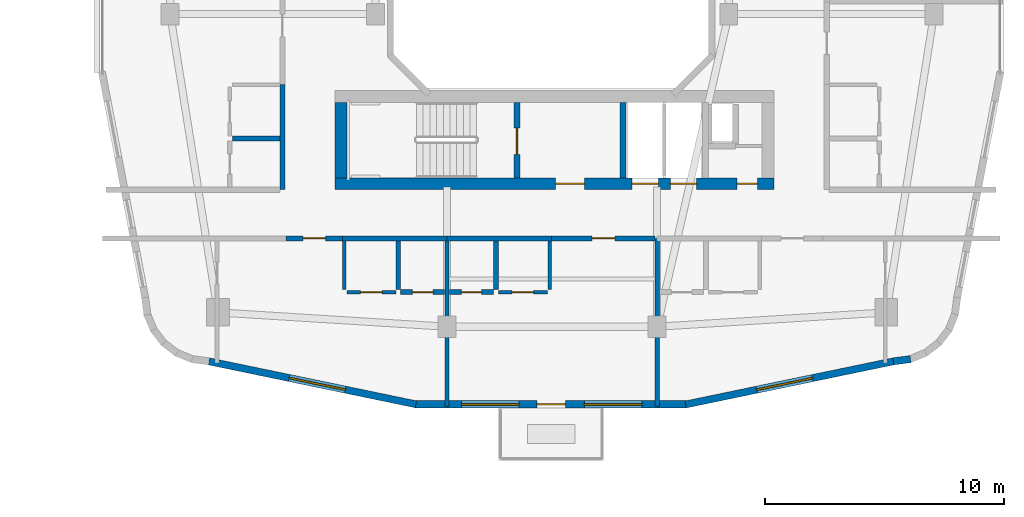
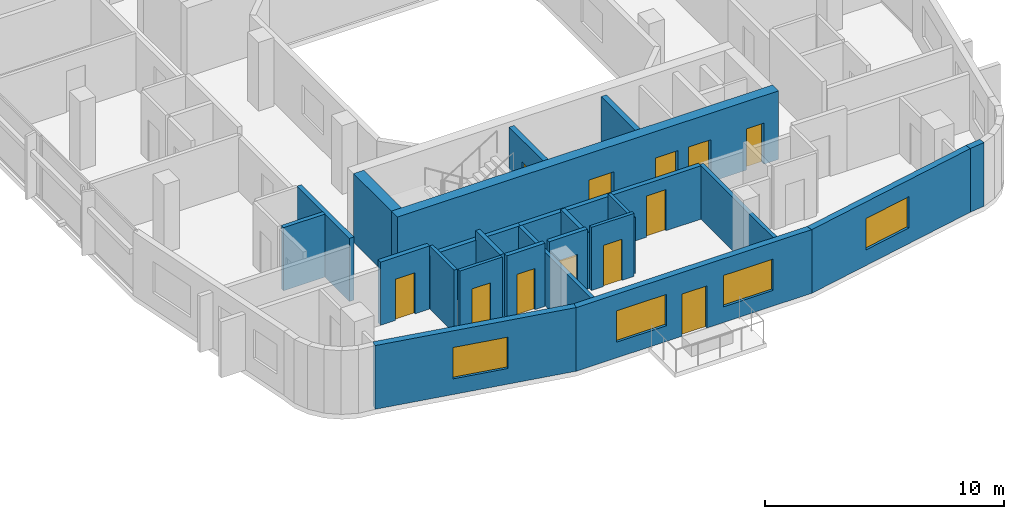
# One storey, part 13 of 22: 24 walls, 12 doors, 4 windows, 16 openings.
"""IFC4 building model written with IfcOpenShell, lengths in metres."""

from ifc_helpers import new_model, si_unit, derived_unit, direction, frame, frame_2d, origin, place, context, subcontext, project, spatial, rectangle, extrude, material, layer, layer_set, type_object, element, fill, save


model = new_model("IFC4")

# Units and contexts
model_context = context("Model", 3, precision=1e-05, world=origin(), true_north=direction((0.0, 1.0)))
body_context = subcontext(model_context, "Body", "Model", "MODEL_VIEW")
ifc_project = project(units=[si_unit("LENGTHUNIT", "METRE"), si_unit("AREAUNIT", "SQUARE_METRE"), si_unit("VOLUMEUNIT", "CUBIC_METRE"), si_unit("PLANEANGLEUNIT", "RADIAN"), si_unit("MASSUNIT", "GRAM", prefix="KILO"), derived_unit("THERMALTRANSMITTANCEUNIT", [(si_unit("POWERUNIT", "WATT"), 1), (si_unit("LENGTHUNIT", "METRE"), -2), (si_unit("THERMODYNAMICTEMPERATUREUNIT", "KELVIN"), -1)])], contexts=[model_context])

# Site, building, storey
site_placement = place(None, origin())
site = spatial("IfcSite", under=ifc_project, at=site_placement, CompositionType="ELEMENT")
building_placement = place(site_placement, origin())
building = spatial("IfcBuilding", under=site, at=building_placement, Name="Kivonza Crest Hotel", CompositionType="ELEMENT")
storey_placement = place(building_placement, frame((0.0, 0.0, 59.0)))
storey = spatial("IfcBuildingStorey", under=building, at=storey_placement, Name="L15", CompositionType="ELEMENT", Elevation=59.0)

# Walls
ifc_material_1 = material(Name="High-density acoustic masonry inter-tenancy wall", Category="masonry")
ifc_layer_1 = layer(ifc_material_1, 0.179931640625)
ifc_layer_set_1 = layer_set([ifc_layer_1], Name="High-density acoustic masonry inter-tenancy wall")
wall_type_1 = type_object("IfcWallType", Name="WL-ACOU-180", PredefinedType="SOLIDWALL", material=ifc_layer_set_1)
for number, where, z_axis, x_axis, name in (
    (1, (72.60009765625, 5.06005859375, 0.0), (0.0, 0.0, 1.0), (0.0, 1.0, 0.0), "L15 interior partition WA-L15-T2S-DIV1"),
    (2, (81.39990234375, 5.06005859375, 0.0), (0.0, 0.0, 1.0), (0.0, 1.0, 0.0), "L15 interior partition WA-L15-T2S-DIV2"),
):
    element("IfcWall", number, at=place(storey_placement, frame(where, z_axis=z_axis, x_axis=x_axis)), inside=storey, type_object=wall_type_1, Name=name, PredefinedType="SOLIDWALL", context=body_context, shape_type="SweptSolid", body=[
        extrude(rectangle(XDim=7.0400390625, YDim=0.179931640625, at=frame_2d((3.52001953125, 0.0))), origin(), (0.0, 0.0, 1.0), 2.72509765625),
    ])
ifc_material_2 = material(Name="Autoclaved aerated concrete blockwork", Category="masonry")
ifc_layer_2 = layer(ifc_material_2, 0.219970703125)
ifc_layer_set_2 = layer_set([ifc_layer_2], Name="Autoclaved aerated concrete blockwork")
wall_type_2 = type_object("IfcWallType", Name="WL-ACOU-220", PredefinedType="SOLIDWALL", material=ifc_layer_set_2)
wall_1_placement = place(storey_placement, frame((68.219970703125, 12.10009765625, 0.0), z_axis=(0.0, 0.0, 1.0), x_axis=(1.0, 0.0, 0.0)))
element("IfcWall", 3, at=wall_1_placement, inside=storey, type_object=wall_type_2, Name="L15 interior partition WA-L15-A03-RCORR", PredefinedType="SOLIDWALL", context=body_context, shape_type="SweptSolid", body=[
    extrude(rectangle(XDim=4.380126953125, YDim=0.219970703125, at=frame_2d((2.18994140625, 0.0))), origin(), (0.0, 0.0, 1.0), 2.72509765625),
])

# Wall, opening, door
wall_2_placement = place(storey_placement, frame((65.85009765625, 12.10009765625, 0.0), z_axis=(0.0, 0.0, 1.0), x_axis=(1.0, 0.0, 0.0)))
wall_2 = element("IfcWall", 4, at=wall_2_placement, inside=storey, type_object=wall_type_2, Name="L15 interior partition WA-L15-A03-MCORR", PredefinedType="SOLIDWALL", context=body_context, shape_type="SweptSolid", body=[
    extrude(rectangle(XDim=2.369873046875, YDim=0.219970703125, at=frame_2d((1.18505859375, 0.0))), origin(), (0.0, 0.0, 1.0), 3.219970703125),
])
opening_1_placement = place(wall_2_placement, frame((0.7099609375, 0.0, 0.0)))
opening_1 = element("IfcOpeningElement", 5, at=opening_1_placement, cuts=wall_2, Name="Opening DU-60", PredefinedType="OPENING", context=body_context, shape_type="SweptSolid", body=[
    extrude(rectangle(XDim=0.949951171875, YDim=2.10009765625, at=frame_2d((0.47509765625, 1.050048828125))), frame((0.0, 0.1201171875, 0.0), z_axis=(0.0, -1.0, 0.0), x_axis=(1.0, 0.0, 0.0)), (0.0, 0.0, 1.0), 0.239990234375),
])
ifc_material_3 = material(Name="Hardwood timber oak", Category="wood")
door_type_1 = type_object("IfcDoorType", Name="DR-UNIT-950", OperationType="NOTDEFINED", PredefinedType="DOOR", material=ifc_material_3)
door_1_placement = place(opening_1_placement, frame((0.949951171875, 0.0, 0.0), z_axis=(0.0, 0.0, 1.0), x_axis=(-1.0, 0.0, 0.0)))
door_1 = element("IfcDoor", 6, at=door_1_placement, inside=storey, type_object=door_type_1, Name="L15 A03 apartment entrance fire door", OperationType="SINGLE_SWING_LEFT", OverallHeight=2.10009765625, OverallWidth=0.949951171875, PredefinedType="DOOR", context=body_context, shape_type="SweptSolid", body=[
    extrude(rectangle(XDim=0.949951171875, YDim=2.10009765625, at=frame_2d((0.47509765625, 1.050048828125))), frame((0.0, 0.02490234375, 0.0), z_axis=(0.0, -1.0, 0.0), x_axis=(1.0, 0.0, 0.0)), (0.0, 0.0, 1.0), 0.050048828125),
])
fill(opening_1, door_1)

# Wall
wall_3_placement = place(storey_placement, frame((72.60009765625, 12.10009765625, 0.0), z_axis=(0.0, 0.0, 1.0), x_axis=(1.0, 0.0, 0.0)))
element("IfcWall", 7, at=wall_3_placement, inside=storey, type_object=wall_type_2, Name="L15 interior partition WA-L15-A04-LCORR", PredefinedType="SOLIDWALL", context=body_context, shape_type="SweptSolid", body=[
    extrude(rectangle(XDim=4.3798828125, YDim=0.219970703125, at=frame_2d((2.18994140625, 0.0))), origin(), (0.0, 0.0, 1.0), 2.72509765625),
])

# Wall, opening, door
wall_4_placement = place(storey_placement, frame((76.97998046875, 12.10009765625, 0.0), z_axis=(0.0, 0.0, 1.0), x_axis=(1.0, 0.0, 0.0)))
wall_4 = element("IfcWall", 8, at=wall_4_placement, inside=storey, type_object=wall_type_2, Name="L15 interior partition WA-L15-A04-MCORR", PredefinedType="SOLIDWALL", context=body_context, shape_type="SweptSolid", body=[
    extrude(rectangle(XDim=4.340087890625, YDim=0.219970703125, at=frame_2d((2.169921875, 0.0))), origin(), (0.0, 0.0, 1.0), 2.72509765625),
])
opening_2_placement = place(wall_4_placement, frame((1.695068359375, 0.0, 0.0)))
opening_2 = element("IfcOpeningElement", 9, at=opening_2_placement, cuts=wall_4, Name="Opening DU-60", PredefinedType="OPENING", context=body_context, shape_type="SweptSolid", body=[
    extrude(rectangle(XDim=0.949951171875, YDim=2.10009765625, at=frame_2d((0.47509765625, 1.050048828125))), frame((0.0, 0.1201171875, 0.0), z_axis=(0.0, -1.0, 0.0), x_axis=(1.0, 0.0, 0.0)), (0.0, 0.0, 1.0), 0.239990234375),
])
door_2_placement = place(opening_2_placement, frame((0.949951171875, 0.0, 0.0), z_axis=(0.0, 0.0, 1.0), x_axis=(-1.0, 0.0, 0.0)))
door_2 = element("IfcDoor", 10, at=door_2_placement, inside=storey, type_object=door_type_1, Name="L15 A04 apartment entrance fire door", OperationType="SINGLE_SWING_RIGHT", OverallHeight=2.10009765625, OverallWidth=0.949951171875, PredefinedType="DOOR", context=body_context, shape_type="SweptSolid", body=[
    extrude(rectangle(XDim=0.949951171875, YDim=2.10009765625, at=frame_2d((0.47509765625, 1.050048828125))), frame((0.0, 0.02490234375, 0.0), z_axis=(0.0, -1.0, 0.0), x_axis=(1.0, 0.0, 0.0)), (0.0, 0.0, 1.0), 0.050048828125),
])
fill(opening_2, door_2)

# Wall
wall_5_placement = place(storey_placement, frame((65.699951171875, 14.139892578125, 0.0), z_axis=(0.0, 0.0, 1.0), x_axis=(0.0, 1.0, 0.0)))
element("IfcWall", 11, at=wall_5_placement, inside=storey, type_object=wall_type_2, Name="L15 interior partition WA-L15-A06-BCORR", PredefinedType="SOLIDWALL", context=body_context, shape_type="SweptSolid", body=[
    extrude(rectangle(XDim=4.400146484375, YDim=0.219970703125, at=frame_2d((2.2001953125, 0.0))), origin(), (0.0, 0.0, 1.0), 3.219970703125),
])

# Wall, openings, doors
ifc_material_4 = material(Name="Concrete C60/75", Category="concrete")
ifc_layer_3 = layer(ifc_material_4, 0.5)
ifc_layer_set_3 = layer_set([ifc_layer_3], Name="Concrete C60/75")
wall_type_3 = type_object("IfcWallType", Name="WL-CORE-500", PredefinedType="SHEAR", material=ifc_layer_set_3)
wall_6_placement = place(storey_placement, frame((67.89990234375, 14.389892578125, 0.0), z_axis=(0.0, 0.0, 1.0), x_axis=(1.0, 0.0, 0.0)))
wall_6 = element("IfcWall", 12, at=wall_6_placement, inside=storey, type_object=wall_type_3, Name="Core wall T2-S South L15", PredefinedType="SHEAR", context=body_context, shape_type="SweptSolid", body=[
    extrude(rectangle(XDim=18.400146484375, YDim=0.5, at=frame_2d((9.2001953125, 0.0))), origin(), (0.0, 0.0, 1.0), 3.5),
])
opening_3_placement = place(wall_6_placement, frame((9.25, 0.0, 0.0)))
opening_3 = element("IfcOpeningElement", 13, at=opening_3_placement, cuts=wall_6, Name="Opening DF-60", PredefinedType="OPENING", context=body_context, shape_type="SweptSolid", body=[
    extrude(rectangle(XDim=1.199951171875, YDim=2.14990234375, at=frame_2d((0.60009765625, 1.074951171875))), frame((0.0, 0.260009765625, 0.0), z_axis=(0.0, -1.0, 0.0), x_axis=(1.0, 0.0, 0.0)), (0.0, 0.0, 1.0), 0.52001953125),
])
opening_4_placement = place(wall_6_placement, frame((16.85009765625, 0.0, 0.0)))
opening_4 = element("IfcOpeningElement", 14, at=opening_4_placement, cuts=wall_6, Name="Opening DF-60R", PredefinedType="OPENING", context=body_context, shape_type="SweptSolid", body=[
    extrude(rectangle(XDim=0.85009765625, YDim=2.10009765625, at=frame_2d((0.425048828125, 1.050048828125))), frame((0.0, 0.260009765625, 0.0), z_axis=(0.0, -1.0, 0.0), x_axis=(1.0, 0.0, 0.0)), (0.0, 0.0, 1.0), 0.52001953125),
])
opening_5_placement = place(wall_6_placement, frame((12.449951171875, 0.0, 0.0)))
opening_5 = element("IfcOpeningElement", 15, at=opening_5_placement, cuts=wall_6, Name="Opening LD-120", PredefinedType="OPENING", context=body_context, shape_type="SweptSolid", body=[
    extrude(rectangle(XDim=1.10009765625, YDim=2.14990234375, at=frame_2d((0.550048828125, 1.074951171875))), frame((0.0, 0.260009765625, 0.0), z_axis=(0.0, -1.0, 0.0), x_axis=(1.0, 0.0, 0.0)), (0.0, 0.0, 1.0), 0.52001953125),
])
opening_6_placement = place(wall_6_placement, frame((14.050048828125, 0.0, 0.0)))
opening_6 = element("IfcOpeningElement", 16, at=opening_6_placement, cuts=wall_6, Name="Opening LD-120", PredefinedType="OPENING", context=body_context, shape_type="SweptSolid", body=[
    extrude(rectangle(XDim=1.10009765625, YDim=2.14990234375, at=frame_2d((0.550048828125, 1.074951171875))), frame((0.0, 0.260009765625, 0.0), z_axis=(0.0, -1.0, 0.0), x_axis=(1.0, 0.0, 0.0)), (0.0, 0.0, 1.0), 0.52001953125),
])
door_type_2 = type_object("IfcDoorType", Name="DR-FD60-1200", OperationType="NOTDEFINED", PredefinedType="DOOR", material=ifc_material_3)
door_3_placement = place(opening_3_placement, frame((1.199951171875, 0.0, 0.0), z_axis=(0.0, 0.0, 1.0), x_axis=(-1.0, 0.0, 0.0)))
door_3 = element("IfcDoor", 17, at=door_3_placement, inside=storey, type_object=door_type_2, Name="L15 T2-S firefighting lobby fire door", OperationType="SINGLE_SWING_LEFT", OverallHeight=2.14990234375, OverallWidth=1.199951171875, PredefinedType="DOOR", context=body_context, shape_type="SweptSolid", body=[
    extrude(rectangle(XDim=1.199951171875, YDim=2.14990234375, at=frame_2d((0.60009765625, 1.074951171875))), frame((0.0, 0.02490234375, 0.0), z_axis=(0.0, -1.0, 0.0), x_axis=(1.0, 0.0, 0.0)), (0.0, 0.0, 1.0), 0.050048828125),
])
fill(opening_3, door_3)
door_type_3 = type_object("IfcDoorType", Name="DR-FD60-850", OperationType="NOTDEFINED", PredefinedType="DOOR", material=ifc_material_3)
door_4_placement = place(opening_4_placement, frame((0.85009765625, 0.0, 0.0), z_axis=(0.0, 0.0, 1.0), x_axis=(-1.0, 0.0, 0.0)))
door_4 = element("IfcDoor", 18, at=door_4_placement, inside=storey, type_object=door_type_3, Name="L15 T2-S core room door", OperationType="SINGLE_SWING_RIGHT", OverallHeight=2.10009765625, OverallWidth=0.85009765625, PredefinedType="DOOR", context=body_context, shape_type="SweptSolid", body=[
    extrude(rectangle(XDim=0.85009765625, YDim=2.10009765625, at=frame_2d((0.425048828125, 1.050048828125))), frame((0.0, 0.02490234375, 0.0), z_axis=(0.0, -1.0, 0.0), x_axis=(1.0, 0.0, 0.0)), (0.0, 0.0, 1.0), 0.050048828125),
])
fill(opening_4, door_4)
ifc_material_5 = material(Name="Stainless steel", Category="steel")
door_type_4 = type_object("IfcDoorType", Name="DR-LD120-1100", OperationType="NOTDEFINED", PredefinedType="DOOR", material=ifc_material_5)
door_5_placement = place(opening_5_placement, frame((1.10009765625, 0.0, 0.0), z_axis=(0.0, 0.0, 1.0), x_axis=(-1.0, 0.0, 0.0)))
door_5 = element("IfcDoor", 19, at=door_5_placement, inside=storey, type_object=door_type_4, Name="L15 PL-T2-1 passenger lift sliding landing door", OperationType="DOUBLE_DOOR_SLIDING", OverallHeight=2.14990234375, OverallWidth=1.10009765625, PredefinedType="DOOR", context=body_context, shape_type="SweptSolid", body=[
    extrude(rectangle(XDim=1.10009765625, YDim=2.14990234375, at=frame_2d((0.550048828125, 1.074951171875))), frame((0.0, 0.02490234375, 0.0), z_axis=(0.0, -1.0, 0.0), x_axis=(1.0, 0.0, 0.0)), (0.0, 0.0, 1.0), 0.050048828125),
])
fill(opening_5, door_5)
door_6_placement = place(opening_6_placement, frame((1.10009765625, 0.0, 0.0), z_axis=(0.0, 0.0, 1.0), x_axis=(-1.0, 0.0, 0.0)))
door_6 = element("IfcDoor", 20, at=door_6_placement, inside=storey, type_object=door_type_4, Name="L15 PL-T2-2 passenger lift sliding landing door", OperationType="DOUBLE_DOOR_SLIDING", OverallHeight=2.14990234375, OverallWidth=1.10009765625, PredefinedType="DOOR", context=body_context, shape_type="SweptSolid", body=[
    extrude(rectangle(XDim=1.10009765625, YDim=2.14990234375, at=frame_2d((0.550048828125, 1.074951171875))), frame((0.0, 0.02490234375, 0.0), z_axis=(0.0, -1.0, 0.0), x_axis=(1.0, 0.0, 0.0)), (0.0, 0.0, 1.0), 0.050048828125),
])
fill(opening_6, door_6)

# Wall
wall_7_placement = place(storey_placement, frame((68.14990234375, 14.639892578125, 0.0), z_axis=(0.0, 0.0, 1.0), x_axis=(0.0, 1.0, 0.0)))
element("IfcWall", 21, at=wall_7_placement, inside=storey, type_object=wall_type_3, Name="Core wall T2-S West L15", PredefinedType="SHEAR", context=body_context, shape_type="SweptSolid", body=[
    extrude(rectangle(XDim=3.16015625, YDim=0.5, at=frame_2d((1.580078125, 0.0))), origin(), (0.0, 0.0, 1.0), 3.5),
])

# Wall, opening, window
ifc_material_6 = material(Name="Precast concrete C40/50", Category="concrete")
ifc_layer_4 = layer(ifc_material_6, 0.300048828125)
ifc_layer_set_4 = layer_set([ifc_layer_4], Name="Precast concrete C40/50")
wall_type_4 = type_object("IfcWallType", Name="WL-EXT-300", PredefinedType="STANDARD", material=ifc_layer_set_4)
wall_8_placement = place(storey_placement, frame((62.6220703125, 6.948974609375, 0.0), z_axis=(0.0, 0.0, 1.0), x_axis=(0.979119654102, -0.203284782882, 0.0)))
wall_8 = element("IfcWall", 22, at=wall_8_placement, inside=storey, type_object=wall_type_4, Name="L15 T2 exterior insulated wall 7", PredefinedType="STANDARD", context=body_context, shape_type="SweptSolid", body=[
    extrude(rectangle(XDim=8.854736328125, YDim=0.300048828125, at=frame_2d((4.42724609375, 0.0))), origin(), (0.0, 0.0, 1.0), 3.25),
])
opening_7_placement = place(wall_8_placement, frame((3.43896484375, 0.0, 0.800048828125)))
opening_7 = element("IfcOpeningElement", 23, at=opening_7_placement, cuts=wall_8, Name="Opening WN-05", PredefinedType="OPENING", context=body_context, shape_type="SweptSolid", body=[
    extrude(rectangle(XDim=2.39990234375, YDim=1.60009765625, at=frame_2d((1.199951171875, 0.800048828125))), frame((0.0, 0.16015625, 0.0), z_axis=(0.0, -1.0, 0.0), x_axis=(1.0, 0.0, 0.0)), (0.0, 0.0, 1.0), 0.320068359375),
])
ifc_material_7 = material(Name="Thermally broken bronze aluminium and low-E double glazing", Category="aluminium")
window_type = type_object("IfcWindowType", Name="WN-240x160", PartitioningType="TRIPLE_PANEL_VERTICAL", PredefinedType="WINDOW", material=ifc_material_7)
window_1_placement = place(opening_7_placement, origin())
window_1 = element("IfcWindow", 24, at=window_1_placement, inside=storey, type_object=window_type, Name="L15 T2 facade window 7", OverallHeight=1.60009765625, OverallWidth=2.39990234375, PartitioningType="SINGLE_PANEL", PredefinedType="WINDOW", context=body_context, shape_type="SweptSolid", body=[
    extrude(rectangle(XDim=2.39990234375, YDim=1.60009765625, at=frame_2d((1.199951171875, 0.800048828125))), frame((0.0, 0.030029296875, 0.0), z_axis=(0.0, -1.0, 0.0), x_axis=(1.0, 0.0, 0.0)), (0.0, 0.0, 1.0), 0.06005859375),
])
fill(opening_7, window_1)

# Wall, openings, door, windows
wall_9_placement = place(storey_placement, frame((71.2470703125, 5.14990234375, 0.0), z_axis=(0.0, 0.0, 1.0), x_axis=(1.0, 0.0, 0.0)))
wall_9 = element("IfcWall", 25, at=wall_9_placement, inside=storey, type_object=wall_type_4, Name="L15 T2 exterior insulated wall 8", PredefinedType="STANDARD", context=body_context, shape_type="SweptSolid", body=[
    extrude(rectangle(XDim=11.390869140625, YDim=0.300048828125, at=frame_2d((5.6953125, 0.0))), origin(), (0.0, 0.0, 1.0), 3.25),
])
opening_8_placement = place(wall_9_placement, frame((5.113037109375, 0.0, 0.0)))
opening_8 = element("IfcOpeningElement", 26, at=opening_8_placement, cuts=wall_9, Name="Opening DT-120", PredefinedType="OPENING", context=body_context, shape_type="SweptSolid", body=[
    extrude(rectangle(XDim=1.199951171875, YDim=2.14990234375, at=frame_2d((0.60009765625, 1.074951171875))), frame((0.0, 0.16015625, 0.0), z_axis=(0.0, -1.0, 0.0), x_axis=(1.0, 0.0, 0.0)), (0.0, 0.0, 1.0), 0.320068359375),
])
opening_9_placement = place(wall_9_placement, frame((1.9580078125, 0.0, 0.800048828125)))
opening_9 = element("IfcOpeningElement", 27, at=opening_9_placement, cuts=wall_9, Name="Opening WN-05", PredefinedType="OPENING", context=body_context, shape_type="SweptSolid", body=[
    extrude(rectangle(XDim=2.39990234375, YDim=1.60009765625, at=frame_2d((1.199951171875, 0.800048828125))), frame((0.0, 0.16015625, 0.0), z_axis=(0.0, -1.0, 0.0), x_axis=(1.0, 0.0, 0.0)), (0.0, 0.0, 1.0), 0.320068359375),
])
opening_10_placement = place(wall_9_placement, frame((7.10791015625, 0.0, 0.800048828125)))
opening_10 = element("IfcOpeningElement", 28, at=opening_10_placement, cuts=wall_9, Name="Opening WN-05", PredefinedType="OPENING", context=body_context, shape_type="SweptSolid", body=[
    extrude(rectangle(XDim=2.39990234375, YDim=1.60009765625, at=frame_2d((1.199951171875, 0.800048828125))), frame((0.0, 0.16015625, 0.0), z_axis=(0.0, -1.0, 0.0), x_axis=(1.0, 0.0, 0.0)), (0.0, 0.0, 1.0), 0.320068359375),
])
ifc_material_8 = material(Name="Anodised bronze aluminium and laminated safety glass", Category="aluminium")
door_type_5 = type_object("IfcDoorType", Name="DR-TERR-1200", OperationType="NOTDEFINED", PredefinedType="DOOR", material=ifc_material_8)
door_7_placement = place(opening_8_placement, frame((1.199951171875, 0.0, 0.0), z_axis=(0.0, 0.0, 1.0), x_axis=(-1.0, 0.0, 0.0)))
door_7 = element("IfcDoor", 29, at=door_7_placement, inside=storey, type_object=door_type_5, Name="T2 L15 SW sky-garden bridge access door", OperationType="SINGLE_SWING_RIGHT", OverallHeight=2.14990234375, OverallWidth=1.199951171875, PredefinedType="DOOR", context=body_context, shape_type="SweptSolid", body=[
    extrude(rectangle(XDim=1.199951171875, YDim=2.14990234375, at=frame_2d((0.60009765625, 1.074951171875))), frame((0.0, 0.02490234375, 0.0), z_axis=(0.0, -1.0, 0.0), x_axis=(1.0, 0.0, 0.0)), (0.0, 0.0, 1.0), 0.050048828125),
])
fill(opening_8, door_7)
window_2_placement = place(opening_9_placement, origin())
window_2 = element("IfcWindow", 30, at=window_2_placement, inside=storey, type_object=window_type, Name="L15 T2 facade window 8 bay 1", OverallHeight=1.60009765625, OverallWidth=2.39990234375, PartitioningType="SINGLE_PANEL", PredefinedType="WINDOW", context=body_context, shape_type="SweptSolid", body=[
    extrude(rectangle(XDim=2.39990234375, YDim=1.60009765625, at=frame_2d((1.199951171875, 0.800048828125))), frame((0.0, 0.030029296875, 0.0), z_axis=(0.0, -1.0, 0.0), x_axis=(1.0, 0.0, 0.0)), (0.0, 0.0, 1.0), 0.06005859375),
])
fill(opening_9, window_2)
window_3_placement = place(opening_10_placement, origin())
window_3 = element("IfcWindow", 31, at=window_3_placement, inside=storey, type_object=window_type, Name="L15 T2 facade window 8 bay 2", OverallHeight=1.60009765625, OverallWidth=2.39990234375, PartitioningType="SINGLE_PANEL", PredefinedType="WINDOW", context=body_context, shape_type="SweptSolid", body=[
    extrude(rectangle(XDim=2.39990234375, YDim=1.60009765625, at=frame_2d((1.199951171875, 0.800048828125))), frame((0.0, 0.030029296875, 0.0), z_axis=(0.0, -1.0, 0.0), x_axis=(1.0, 0.0, 0.0)), (0.0, 0.0, 1.0), 0.06005859375),
])
fill(opening_10, window_3)

# Wall, opening, window
wall_10_placement = place(storey_placement, frame((82.593994140625, 5.14208984375, 0.0), z_axis=(0.0, 0.0, 1.0), x_axis=(0.979125485139, 0.203256695712, 0.0)))
wall_10 = element("IfcWall", 32, at=wall_10_placement, inside=storey, type_object=wall_type_4, Name="L15 T2 exterior insulated wall 9", PredefinedType="STANDARD", context=body_context, shape_type="SweptSolid", body=[
    extrude(rectangle(XDim=8.8896484375, YDim=0.300048828125, at=frame_2d((4.44482421875, 0.0))), origin(), (0.0, 0.0, 1.0), 3.25),
])
opening_11_placement = place(wall_10_placement, frame((3.032958984375, 0.0, 0.800048828125)))
opening_11 = element("IfcOpeningElement", 33, at=opening_11_placement, cuts=wall_10, Name="Opening WN-05", PredefinedType="OPENING", context=body_context, shape_type="SweptSolid", body=[
    extrude(rectangle(XDim=2.39990234375, YDim=1.60009765625, at=frame_2d((1.199951171875, 0.800048828125))), frame((0.0, 0.16015625, 0.0), z_axis=(0.0, -1.0, 0.0), x_axis=(1.0, 0.0, 0.0)), (0.0, 0.0, 1.0), 0.320068359375),
])
window_4_placement = place(opening_11_placement, origin())
window_4 = element("IfcWindow", 34, at=window_4_placement, inside=storey, type_object=window_type, Name="L15 T2 facade window 9", OverallHeight=1.60009765625, OverallWidth=2.39990234375, PartitioningType="SINGLE_PANEL", PredefinedType="WINDOW", context=body_context, shape_type="SweptSolid", body=[
    extrude(rectangle(XDim=2.39990234375, YDim=1.60009765625, at=frame_2d((1.199951171875, 0.800048828125))), frame((0.0, 0.030029296875, 0.0), z_axis=(0.0, -1.0, 0.0), x_axis=(1.0, 0.0, 0.0)), (0.0, 0.0, 1.0), 0.06005859375),
])
fill(opening_11, window_4)

# Walls
wall_11_placement = place(storey_placement, frame((91.29296875, 6.947998046875, 0.0), z_axis=(0.0, 0.0, 1.0), x_axis=(0.991486167159, 0.13021205909, 0.0)))
element("IfcWall", 35, at=wall_11_placement, inside=storey, type_object=wall_type_4, Name="L15 T2 exterior insulated wall 10", PredefinedType="STANDARD", context=body_context, shape_type="SweptSolid", body=[
    extrude(rectangle(XDim=0.729248046875, YDim=0.300048828125, at=frame_2d((0.36474609375, 0.0))), origin(), (0.0, 0.0, 1.0), 3.25),
])
ifc_material_9 = material(Name="Twin-stud acoustic gypsum board partition", Category="gypsum")
ifc_layer_5 = layer(ifc_material_9, 0.14990234375)
ifc_layer_set_5 = layer_set([ifc_layer_5], Name="Twin-stud acoustic gypsum board partition")
wall_type_5 = type_object("IfcWallType", Name="WL-PART-150", PredefinedType="PARTITIONING", material=ifc_layer_set_5)
wall_12_placement = place(storey_placement, frame((68.300048828125, 9.949951171875, 0.0), z_axis=(0.0, 0.0, 1.0), x_axis=(0.0, 1.0, 0.0)))
element("IfcWall", 36, at=wall_12_placement, inside=storey, type_object=wall_type_5, Name="L15 interior partition WP-L15-A03-KF", PredefinedType="PARTITIONING", context=body_context, shape_type="SweptSolid", body=[
    extrude(rectangle(XDim=2.050048828125, YDim=0.14990234375, at=frame_2d((1.02490234375, 0.0))), origin(), (0.0, 0.0, 1.0), 3.219970703125),
])

# Wall, opening, door
wall_13_placement = place(storey_placement, frame((68.39990234375, 9.85009765625, 0.0), z_axis=(0.0, 0.0, 1.0), x_axis=(1.0, 0.0, 0.0)))
wall_13 = element("IfcWall", 37, at=wall_13_placement, inside=storey, type_object=wall_type_5, Name="L15 interior partition WP-L15-A03-KSVC", PredefinedType="PARTITIONING", context=body_context, shape_type="SweptSolid", body=[
    extrude(rectangle(XDim=2.050048828125, YDim=0.14990234375, at=frame_2d((1.02490234375, 0.0))), origin(), (0.0, 0.0, 1.0), 3.219970703125),
])
opening_12_placement = place(wall_13_placement, frame((0.574951171875, 0.0, 0.0)))
opening_12 = element("IfcOpeningElement", 38, at=opening_12_placement, cuts=wall_13, Name="Opening DI-90", PredefinedType="OPENING", context=body_context, shape_type="SweptSolid", body=[
    extrude(rectangle(XDim=0.89990234375, YDim=2.10009765625, at=frame_2d((0.449951171875, 1.050048828125))), frame((0.0, 0.0849609375, 0.0), z_axis=(0.0, -1.0, 0.0), x_axis=(1.0, 0.0, 0.0)), (0.0, 0.0, 1.0), 0.169921875),
])
door_type_6 = type_object("IfcDoorType", Name="DR-INT-900", OperationType="NOTDEFINED", PredefinedType="DOOR", material=ifc_material_3)
door_8_placement = place(opening_12_placement, frame((0.89990234375, 0.0, 0.0), z_axis=(0.0, 0.0, 1.0), x_axis=(-1.0, 0.0, 0.0)))
door_8 = element("IfcDoor", 39, at=door_8_placement, inside=storey, type_object=door_type_6, Name="L15 A03 apartment kitchen door", OperationType="SINGLE_SWING_LEFT", OverallHeight=2.10009765625, OverallWidth=0.89990234375, PredefinedType="DOOR", context=body_context, shape_type="SweptSolid", body=[
    extrude(rectangle(XDim=0.89990234375, YDim=2.10009765625, at=frame_2d((0.449951171875, 1.050048828125))), frame((0.0, 0.02490234375, 0.0), z_axis=(0.0, -1.0, 0.0), x_axis=(1.0, 0.0, 0.0)), (0.0, 0.0, 1.0), 0.050048828125),
])
fill(opening_12, door_8)

# Wall
wall_14_placement = place(storey_placement, frame((76.89990234375, 9.949951171875, 0.0), z_axis=(0.0, 0.0, 1.0), x_axis=(0.0, 1.0, 0.0)))
element("IfcWall", 40, at=wall_14_placement, inside=storey, type_object=wall_type_5, Name="L15 interior partition WP-L15-A04-KF", PredefinedType="PARTITIONING", context=body_context, shape_type="SweptSolid", body=[
    extrude(rectangle(XDim=2.050048828125, YDim=0.14990234375, at=frame_2d((1.02490234375, 0.0))), origin(), (0.0, 0.0, 1.0), 2.864990234375),
])

# Wall, opening, door
wall_15_placement = place(storey_placement, frame((74.75, 9.85009765625, 0.0), z_axis=(0.0, 0.0, 1.0), x_axis=(1.0, 0.0, 0.0)))
wall_15 = element("IfcWall", 41, at=wall_15_placement, inside=storey, type_object=wall_type_5, Name="L15 interior partition WP-L15-A04-KSVC", PredefinedType="PARTITIONING", context=body_context, shape_type="SweptSolid", body=[
    extrude(rectangle(XDim=2.050048828125, YDim=0.14990234375, at=frame_2d((1.02490234375, 0.0))), origin(), (0.0, 0.0, 1.0), 3.219970703125),
])
opening_13_placement = place(wall_15_placement, frame((0.574951171875, 0.0, 0.0)))
opening_13 = element("IfcOpeningElement", 42, at=opening_13_placement, cuts=wall_15, Name="Opening DI-90", PredefinedType="OPENING", context=body_context, shape_type="SweptSolid", body=[
    extrude(rectangle(XDim=0.89990234375, YDim=2.10009765625, at=frame_2d((0.449951171875, 1.050048828125))), frame((0.0, 0.0849609375, 0.0), z_axis=(0.0, -1.0, 0.0), x_axis=(1.0, 0.0, 0.0)), (0.0, 0.0, 1.0), 0.169921875),
])
door_9_placement = place(opening_13_placement, frame((0.89990234375, 0.0, 0.0), z_axis=(0.0, 0.0, 1.0), x_axis=(-1.0, 0.0, 0.0)))
door_9 = element("IfcDoor", 43, at=door_9_placement, inside=storey, type_object=door_type_6, Name="L15 A04 apartment kitchen door", OperationType="SINGLE_SWING_RIGHT", OverallHeight=2.10009765625, OverallWidth=0.89990234375, PredefinedType="DOOR", context=body_context, shape_type="SweptSolid", body=[
    extrude(rectangle(XDim=0.89990234375, YDim=2.10009765625, at=frame_2d((0.449951171875, 1.050048828125))), frame((0.0, 0.02490234375, 0.0), z_axis=(0.0, -1.0, 0.0), x_axis=(1.0, 0.0, 0.0)), (0.0, 0.0, 1.0), 0.050048828125),
])
fill(opening_13, door_9)

# Wall
ifc_material_10 = material(Name="Moisture-resistant plumbing chase partition wall", Category="gypsum")
ifc_layer_6 = layer(ifc_material_10, 0.199951171875)
ifc_layer_set_6 = layer_set([ifc_layer_6], Name="Moisture-resistant plumbing chase partition wall")
wall_type_6 = type_object("IfcWallType", Name="WL-PLUMB-200", PredefinedType="PLUMBINGWALL", material=ifc_layer_set_6)
wall_16_placement = place(storey_placement, frame((70.550048828125, 9.949951171875, 0.0), z_axis=(0.0, 0.0, 1.0), x_axis=(0.0, 1.0, 0.0)))
element("IfcWall", 44, at=wall_16_placement, inside=storey, type_object=wall_type_6, Name="L15 interior partition WW-L15-A03-BK", PredefinedType="PLUMBINGWALL", context=body_context, shape_type="SweptSolid", body=[
    extrude(rectangle(XDim=2.050048828125, YDim=0.199951171875, at=frame_2d((1.02490234375, 0.0))), origin(), (0.0, 0.0, 1.0), 3.219970703125),
])

# Wall, opening, door
wall_17_placement = place(storey_placement, frame((70.64990234375, 9.85009765625, 0.0), z_axis=(0.0, 0.0, 1.0), x_axis=(1.0, 0.0, 0.0)))
wall_17 = element("IfcWall", 45, at=wall_17_placement, inside=storey, type_object=wall_type_6, Name="L15 interior partition WW-L15-A03-BSVC", PredefinedType="PLUMBINGWALL", context=body_context, shape_type="SweptSolid", body=[
    extrude(rectangle(XDim=1.85009765625, YDim=0.199951171875, at=frame_2d((0.925048828125, 0.0))), origin(), (0.0, 0.0, 1.0), 3.219970703125),
])
opening_14_placement = place(wall_17_placement, frame((0.5, 0.0, 0.0)))
opening_14 = element("IfcOpeningElement", 46, at=opening_14_placement, cuts=wall_17, Name="Opening DI-85", PredefinedType="OPENING", context=body_context, shape_type="SweptSolid", body=[
    extrude(rectangle(XDim=0.85009765625, YDim=2.10009765625, at=frame_2d((0.425048828125, 1.050048828125))), frame((0.0, 0.10986328125, 0.0), z_axis=(0.0, -1.0, 0.0), x_axis=(1.0, 0.0, 0.0)), (0.0, 0.0, 1.0), 0.219970703125),
])
door_type_7 = type_object("IfcDoorType", Name="DR-INT-850", OperationType="NOTDEFINED", PredefinedType="DOOR", material=ifc_material_3)
door_10_placement = place(opening_14_placement, frame((0.85009765625, 0.0, 0.0), z_axis=(0.0, 0.0, 1.0), x_axis=(-1.0, 0.0, 0.0)))
door_10 = element("IfcDoor", 47, at=door_10_placement, inside=storey, type_object=door_type_7, Name="L15 A03 apartment bathroom door", OperationType="SINGLE_SWING_RIGHT", OverallHeight=2.10009765625, OverallWidth=0.85009765625, PredefinedType="DOOR", context=body_context, shape_type="SweptSolid", body=[
    extrude(rectangle(XDim=0.85009765625, YDim=2.10009765625, at=frame_2d((0.425048828125, 1.050048828125))), frame((0.0, 0.02490234375, 0.0), z_axis=(0.0, -1.0, 0.0), x_axis=(1.0, 0.0, 0.0)), (0.0, 0.0, 1.0), 0.050048828125),
])
fill(opening_14, door_10)

# Wall
wall_18_placement = place(storey_placement, frame((74.64990234375, 9.949951171875, 0.0), z_axis=(0.0, 0.0, 1.0), x_axis=(0.0, 1.0, 0.0)))
element("IfcWall", 48, at=wall_18_placement, inside=storey, type_object=wall_type_6, Name="L15 interior partition WW-L15-A04-BK", PredefinedType="PLUMBINGWALL", context=body_context, shape_type="SweptSolid", body=[
    extrude(rectangle(XDim=2.050048828125, YDim=0.199951171875, at=frame_2d((1.02490234375, 0.0))), origin(), (0.0, 0.0, 1.0), 2.864990234375),
])

# Wall, opening, door
wall_19_placement = place(storey_placement, frame((72.699951171875, 9.85009765625, 0.0), z_axis=(0.0, 0.0, 1.0), x_axis=(1.0, 0.0, 0.0)))
wall_19 = element("IfcWall", 49, at=wall_19_placement, inside=storey, type_object=wall_type_6, Name="L15 interior partition WW-L15-A04-BSVC", PredefinedType="PLUMBINGWALL", context=body_context, shape_type="SweptSolid", body=[
    extrude(rectangle(XDim=1.85009765625, YDim=0.199951171875, at=frame_2d((0.925048828125, 0.0))), origin(), (0.0, 0.0, 1.0), 3.219970703125),
])
opening_15_placement = place(wall_19_placement, frame((0.5, 0.0, 0.0)))
opening_15 = element("IfcOpeningElement", 50, at=opening_15_placement, cuts=wall_19, Name="Opening DI-85", PredefinedType="OPENING", context=body_context, shape_type="SweptSolid", body=[
    extrude(rectangle(XDim=0.85009765625, YDim=2.10009765625, at=frame_2d((0.425048828125, 1.050048828125))), frame((0.0, 0.10986328125, 0.0), z_axis=(0.0, -1.0, 0.0), x_axis=(1.0, 0.0, 0.0)), (0.0, 0.0, 1.0), 0.219970703125),
])
door_11_placement = place(opening_15_placement, frame((0.85009765625, 0.0, 0.0), z_axis=(0.0, 0.0, 1.0), x_axis=(-1.0, 0.0, 0.0)))
door_11 = element("IfcDoor", 51, at=door_11_placement, inside=storey, type_object=door_type_7, Name="L15 A04 apartment bathroom door", OperationType="SINGLE_SWING_LEFT", OverallHeight=2.10009765625, OverallWidth=0.85009765625, PredefinedType="DOOR", context=body_context, shape_type="SweptSolid", body=[
    extrude(rectangle(XDim=0.85009765625, YDim=2.10009765625, at=frame_2d((0.425048828125, 1.050048828125))), frame((0.0, 0.02490234375, 0.0), z_axis=(0.0, -1.0, 0.0), x_axis=(1.0, 0.0, 0.0)), (0.0, 0.0, 1.0), 0.050048828125),
])
fill(opening_15, door_11)

# Wall
wall_20_placement = place(storey_placement, frame((63.60009765625, 16.2900390625, 0.0), z_axis=(0.0, 0.0, 1.0), x_axis=(1.0, 0.0, 0.0)))
element("IfcWall", 52, at=wall_20_placement, inside=storey, type_object=wall_type_6, Name="L15 interior partition WW-L15-A06-BK", PredefinedType="PLUMBINGWALL", context=body_context, shape_type="SweptSolid", body=[
    extrude(rectangle(XDim=2.0, YDim=0.199951171875, at=frame_2d((1.0, 0.0))), origin(), (0.0, 0.0, 1.0), 3.219970703125),
])

# Wall, opening, door
ifc_material_11 = material(Name="Concrete C50/60", Category="concrete")
ifc_layer_7 = layer(ifc_material_11, 0.25)
ifc_layer_set_7 = layer_set([ifc_layer_7], Name="Concrete C50/60")
wall_type_7 = type_object("IfcWallType", Name="WL-SHAFT-250", PredefinedType="STANDARD", material=ifc_layer_set_7)
wall_21_placement = place(storey_placement, frame((75.52490234375, 14.639892578125, 0.0), z_axis=(0.0, 0.0, 1.0), x_axis=(0.0, 1.0, 0.0)))
wall_21 = element("IfcWall", 53, at=wall_21_placement, inside=storey, type_object=wall_type_7, Name="Core shaft wall T2-S STAIR L15", PredefinedType="STANDARD", context=body_context, shape_type="SweptSolid", body=[
    extrude(rectangle(XDim=3.16015625, YDim=0.25, at=frame_2d((1.580078125, 0.0))), origin(), (0.0, 0.0, 1.0), 3.25),
])
opening_16_placement = place(wall_21_placement, frame((0.97998046875, 0.0, 0.0)))
opening_16 = element("IfcOpeningElement", 54, at=opening_16_placement, cuts=wall_21, Name="Opening DF-120", PredefinedType="OPENING", context=body_context, shape_type="SweptSolid", body=[
    extrude(rectangle(XDim=1.10009765625, YDim=2.14990234375, at=frame_2d((0.550048828125, 1.074951171875))), frame((0.0, 0.135009765625, 0.0), z_axis=(0.0, -1.0, 0.0), x_axis=(1.0, 0.0, 0.0)), (0.0, 0.0, 1.0), 0.27001953125),
])
ifc_material_12 = material(Name="Galvanised steel", Category="steel")
door_type_8 = type_object("IfcDoorType", Name="DR-FD120-1100", OperationType="NOTDEFINED", PredefinedType="DOOR", material=ifc_material_12)
door_12_placement = place(opening_16_placement, frame((1.10009765625, 0.0, 0.0), z_axis=(0.0, 0.0, 1.0), x_axis=(-1.0, 0.0, 0.0)))
door_12 = element("IfcDoor", 55, at=door_12_placement, inside=storey, type_object=door_type_8, Name="L15 T2-S stair fire door", OperationType="SINGLE_SWING_RIGHT", OverallHeight=2.14990234375, OverallWidth=1.10009765625, PredefinedType="DOOR", context=body_context, shape_type="SweptSolid", body=[
    extrude(rectangle(XDim=1.10009765625, YDim=2.14990234375, at=frame_2d((0.550048828125, 1.074951171875))), frame((0.0, 0.02490234375, 0.0), z_axis=(0.0, -1.0, 0.0), x_axis=(1.0, 0.0, 0.0)), (0.0, 0.0, 1.0), 0.050048828125),
])
fill(opening_16, door_12)

# Wall
wall_22_placement = place(storey_placement, frame((79.97509765625, 14.639892578125, 0.0), z_axis=(0.0, 0.0, 1.0), x_axis=(0.0, 1.0, 0.0)))
element("IfcWall", 56, at=wall_22_placement, inside=storey, type_object=wall_type_7, Name="Core shaft wall T2-S BANK-W L15", PredefinedType="STANDARD", context=body_context, shape_type="SweptSolid", body=[
    extrude(rectangle(XDim=3.16015625, YDim=0.25, at=frame_2d((1.580078125, 0.0))), origin(), (0.0, 0.0, 1.0), 3.25),
])

save(model, "model.ifc")
